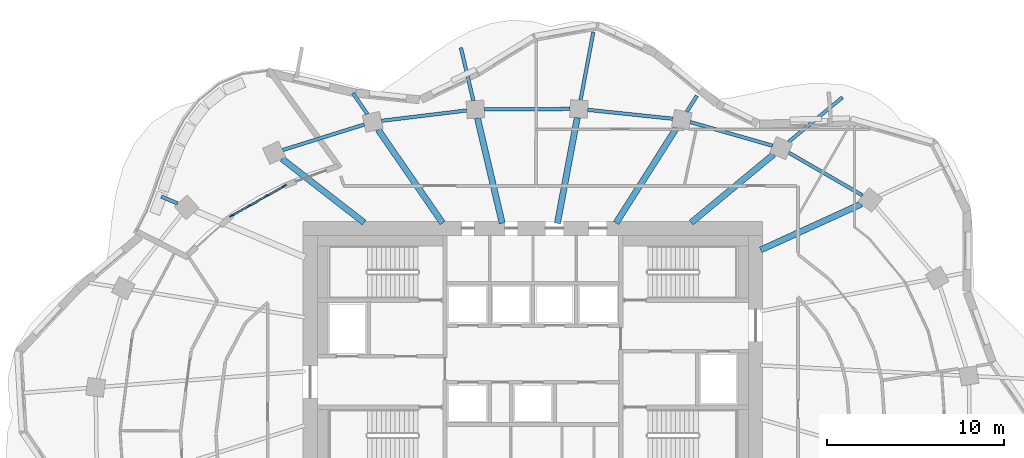
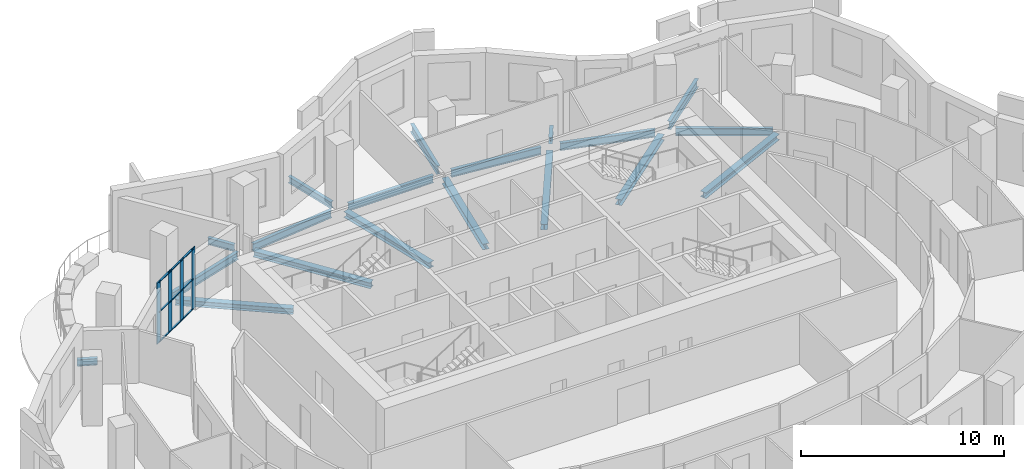
# One storey, part 3 of 13: 19 beams, 13 members, 1 element without a shape of its own.
"""IFC4 building model written with IfcOpenShell, lengths in metres."""

from ifc_helpers import new_model, si_unit, direction, frame, origin, origin_2d, place, context, subcontext, project, spatial, rectangle, i_section, extrude, material, material_profile, profile_set, type_object, element, aggregate, save


model = new_model("IFC4")

# Units and contexts
model_context = context("Model", 3, precision=1e-05, world=origin(), true_north=direction((0.0, 1.0)))
body_context = subcontext(model_context, "Body", "Model", "MODEL_VIEW")
ifc_project = project(units=[si_unit("LENGTHUNIT", "METRE"), si_unit("AREAUNIT", "SQUARE_METRE"), si_unit("VOLUMEUNIT", "CUBIC_METRE"), si_unit("PLANEANGLEUNIT", "RADIAN"), si_unit("MASSUNIT", "GRAM", prefix="KILO")], contexts=[model_context])

# Site, building, storey
site_placement = place(None, origin())
site = spatial("IfcSite", under=ifc_project, at=site_placement, CompositionType="ELEMENT")
building_placement = place(site_placement, origin())
building = spatial("IfcBuilding", under=site, at=building_placement, Name="Rubra Terraces Tower", CompositionType="ELEMENT")
storey_placement = place(building_placement, frame((0.0, 0.0, 189.60009765625)))
storey = spatial("IfcBuildingStorey", under=building, at=storey_placement, Name="L46", CompositionType="ELEMENT", Elevation=189.60009765625)

# Beams
ifc_material_1 = material(Name="Steel Q355B", Category="steel")
ifc_material_profile_1 = material_profile(ifc_material_1, i_section(OverallWidth=0.199951171875, OverallDepth=0.39990234375, WebThickness=0.008056640625, FlangeThickness=0.012939453125, at=origin_2d()), Name="HN 400x200x8x13")
ifc_profile_set_1 = profile_set([ifc_material_profile_1], Name="Steel Q355B")
beam_type_1 = type_object("IfcBeamType", Name="CANTILEVER BEAM HN 400x200x8x13", PredefinedType="BEAM", material=ifc_profile_set_1)
beam_1_placement = place(storey_placement, frame((-3.3701171875, 18.823974609375, -0.400146484375), z_axis=(-0.229158621159, 0.973389092988, 0.0), x_axis=(-0.973389092988, -0.229158621159, 0.0)))
element("IfcBeam", 1, at=beam_1_placement, inside=storey, type_object=beam_type_1, Name="beam-L46-cant-07", PredefinedType="BEAM", context=body_context, shape_type="SweptSolid", body=[
    extrude(i_section(OverallWidth=0.199951171875, OverallDepth=0.39990234375, WebThickness=0.008056640625, FlangeThickness=0.012939453125, at=origin_2d()), origin(), (0.0, 0.0, 1.0), 3.080078125),
])
ifc_material_profile_2 = material_profile(ifc_material_1, i_section(OverallWidth=0.198974609375, OverallDepth=0.49609375, WebThickness=0.009033203125, FlangeThickness=0.013916015625, at=origin_2d()), Name="HN 496x199x9x14")
ifc_profile_set_2 = profile_set([ifc_material_profile_2], Name="Steel Q355B")
beam_type_2 = type_object("IfcBeamType", Name="CANTILEVER BEAM HN 496x199x9x14", PredefinedType="BEAM", material=ifc_profile_set_2)
beam_2_placement = place(storey_placement, frame((14.47509765625, 16.4951171875, -0.447998046875), z_axis=(0.770112647774, 0.637907916347, 0.0), x_axis=(-0.637907916347, 0.770112647774, 0.0)))
element("IfcBeam", 2, at=beam_2_placement, inside=storey, type_object=beam_type_2, Name="beam-L46-cant-04", PredefinedType="BEAM", context=body_context, shape_type="SweptSolid", body=[
    extrude(i_section(OverallWidth=0.198974609375, OverallDepth=0.49609375, WebThickness=0.009033203125, FlangeThickness=0.013916015625, at=origin_2d()), origin(), (0.0, 0.0, 1.0), 3.949951171875),
])
beam_3_placement = place(storey_placement, frame((2.695068359375, 18.85400390625, -0.447998046875), z_axis=(0.184533441982, 0.982826235298, 0.0), x_axis=(-0.982826235298, 0.184533441982, 0.0)))
element("IfcBeam", 3, at=beam_3_placement, inside=storey, type_object=beam_type_2, Name="beam-L46-cant-06", PredefinedType="BEAM", context=body_context, shape_type="SweptSolid", body=[
    extrude(i_section(OverallWidth=0.198974609375, OverallDepth=0.49609375, WebThickness=0.009033203125, FlangeThickness=0.013916015625, at=origin_2d()), origin(), (0.0, 0.0, 1.0), 3.912109375),
])
ifc_material_profile_3 = material_profile(ifc_material_1, i_section(OverallWidth=0.199951171875, OverallDepth=0.39990234375, WebThickness=0.008056640625, FlangeThickness=0.012939453125, at=origin_2d()), Name="HN 400x200x8x13")
ifc_profile_set_3 = profile_set([ifc_material_profile_3], Name="Steel Q355B")
beam_type_3 = type_object("IfcBeamType", Name="CANTILEVER STUB HN 400x200x8x13", PredefinedType="BEAM", material=ifc_profile_set_3)
beam_4_placement = place(storey_placement, frame((8.7099609375, 18.201904296875, -0.400146484375), z_axis=(0.536579593342, 0.843849714113, 0.0), x_axis=(-0.843849714113, 0.536579593342, 0.0)))
element("IfcBeam", 4, at=beam_4_placement, inside=storey, type_object=beam_type_3, Name="beam-L46-cant-05", PredefinedType="BEAM", context=body_context, shape_type="SweptSolid", body=[
    extrude(i_section(OverallWidth=0.199951171875, OverallDepth=0.39990234375, WebThickness=0.008056640625, FlangeThickness=0.012939453125, at=origin_2d()), origin(), (0.0, 0.0, 1.0), 1.06787109375),
])
beam_5_placement = place(storey_placement, frame((-9.3701171875, 18.070068359375, -0.400146484375), z_axis=(-0.568440243111, 0.822724552941, 0.0), x_axis=(-0.822724552941, -0.568440243111, 0.0)))
element("IfcBeam", 5, at=beam_5_placement, inside=storey, type_object=beam_type_3, Name="beam-L46-cant-08", PredefinedType="BEAM", context=body_context, shape_type="SweptSolid", body=[
    extrude(i_section(OverallWidth=0.199951171875, OverallDepth=0.39990234375, WebThickness=0.008056640625, FlangeThickness=0.012939453125, at=origin_2d()), origin(), (0.0, 0.0, 1.0), 1.435302734375),
])
beam_6_placement = place(storey_placement, frame((-20.10205078125, 13.0048828125, -0.400146484375), z_axis=(-0.920750248857, 0.390152507654, 0.0), x_axis=(-0.390152507654, -0.920750248857, 0.0)))
element("IfcBeam", 6, at=beam_6_placement, inside=storey, type_object=beam_type_3, Name="beam-L46-cant-10", PredefinedType="BEAM", context=body_context, shape_type="SweptSolid", body=[
    extrude(i_section(OverallWidth=0.199951171875, OverallDepth=0.39990234375, WebThickness=0.008056640625, FlangeThickness=0.012939453125, at=origin_2d()), origin(), (0.0, 0.0, 1.0), 1.010009765625),
])
ifc_material_profile_4 = material_profile(ifc_material_1, i_section(OverallWidth=0.35009765625, OverallDepth=0.35009765625, WebThickness=0.011962890625, FlangeThickness=0.01904296875, at=origin_2d()), Name="HW 350x350x12x19")
ifc_profile_set_4 = profile_set([ifc_material_profile_4], Name="Steel Q355B")
beam_type_4 = type_object("IfcBeamType", Name="FLOOR BEAM HW 350x350x12x19", PredefinedType="BEAM", material=ifc_profile_set_4)
beam_7_placement = place(storey_placement, frame((18.5869140625, 12.97900390625, -0.375), z_axis=(-0.909756526533, -0.415142219523, 0.0), x_axis=(0.415142219523, -0.909756526533, 0.0)))
element("IfcBeam", 7, at=beam_7_placement, inside=storey, type_object=beam_type_4, Name="beam-L46-floor-03", PredefinedType="BEAM", context=body_context, shape_type="SweptSolid", body=[
    extrude(i_section(OverallWidth=0.35009765625, OverallDepth=0.35009765625, WebThickness=0.011962890625, FlangeThickness=0.01904296875, at=origin_2d()), origin(), (0.0, 0.0, 1.0), 6.2607421875),
])
beam_8_placement = place(storey_placement, frame((13.60888671875, 15.777099609375, -0.375), z_axis=(-0.769987518392, -0.638058948312, 0.0), x_axis=(0.638058948312, -0.769987518392, 0.0)))
element("IfcBeam", 8, at=beam_8_placement, inside=storey, type_object=beam_type_4, Name="beam-L46-floor-04", PredefinedType="BEAM", context=body_context, shape_type="SweptSolid", body=[
    extrude(i_section(OverallWidth=0.35009765625, OverallDepth=0.35009765625, WebThickness=0.011962890625, FlangeThickness=0.01904296875, at=origin_2d()), origin(), (0.0, 0.0, 1.0), 6.040283203125),
])
beam_9_placement = place(storey_placement, frame((8.134033203125, 17.2958984375, -0.375), z_axis=(-0.536509861106, -0.843894050776, 0.0), x_axis=(0.843894050776, -0.536509861106, 0.0)))
element("IfcBeam", 9, at=beam_9_placement, inside=storey, type_object=beam_type_4, Name="beam-L46-floor-05", PredefinedType="BEAM", context=body_context, shape_type="SweptSolid", body=[
    extrude(i_section(OverallWidth=0.35009765625, OverallDepth=0.35009765625, WebThickness=0.011962890625, FlangeThickness=0.01904296875, at=origin_2d()), origin(), (0.0, 0.0, 1.0), 6.395263671875),
])
beam_10_placement = place(storey_placement, frame((2.509033203125, 17.862060546875, -0.375), z_axis=(-0.184574398021, -0.982818544593, 0.0), x_axis=(0.982818544593, -0.184574398021, 0.0)))
element("IfcBeam", 10, at=beam_10_placement, inside=storey, type_object=beam_type_4, Name="beam-L46-floor-06", PredefinedType="BEAM", context=body_context, shape_type="SweptSolid", body=[
    extrude(i_section(OverallWidth=0.35009765625, OverallDepth=0.35009765625, WebThickness=0.011962890625, FlangeThickness=0.01904296875, at=origin_2d()), origin(), (0.0, 0.0, 1.0), 6.08447265625),
])
beam_11_placement = place(storey_placement, frame((-3.137939453125, 17.8359375, -0.375), z_axis=(0.229070485592, -0.973409837957, 0.0), x_axis=(0.973409837957, 0.229070485592, 0.0)))
element("IfcBeam", 11, at=beam_11_placement, inside=storey, type_object=beam_type_4, Name="beam-L46-floor-07", PredefinedType="BEAM", context=body_context, shape_type="SweptSolid", body=[
    extrude(i_section(OverallWidth=0.35009765625, OverallDepth=0.35009765625, WebThickness=0.011962890625, FlangeThickness=0.01904296875, at=origin_2d()), origin(), (0.0, 0.0, 1.0), 6.115478515625),
])
beam_12_placement = place(storey_placement, frame((-8.756103515625, 17.179931640625, -0.375), z_axis=(0.568186422001, -0.822899866238, 0.0), x_axis=(0.822899866238, 0.568186422001, 0.0)))
element("IfcBeam", 12, at=beam_12_placement, inside=storey, type_object=beam_type_4, Name="beam-L46-floor-08", PredefinedType="BEAM", context=body_context, shape_type="SweptSolid", body=[
    extrude(i_section(OverallWidth=0.35009765625, OverallDepth=0.35009765625, WebThickness=0.011962890625, FlangeThickness=0.01904296875, at=origin_2d()), origin(), (0.0, 0.0, 1.0), 6.415283203125),
])
beam_13_placement = place(storey_placement, frame((-14.197998046875, 15.534912109375, -0.375), z_axis=(0.789548898228, -0.613687654517, 0.0), x_axis=(0.613687654517, 0.789548898228, 0.0)))
element("IfcBeam", 13, at=beam_13_placement, inside=storey, type_object=beam_type_4, Name="beam-L46-floor-09", PredefinedType="BEAM", context=body_context, shape_type="SweptSolid", body=[
    extrude(i_section(OverallWidth=0.35009765625, OverallDepth=0.35009765625, WebThickness=0.011962890625, FlangeThickness=0.01904296875, at=origin_2d()), origin(), (0.0, 0.0, 1.0), 5.880615234375),
])
ifc_material_profile_5 = material_profile(ifc_material_1, i_section(OverallWidth=0.198974609375, OverallDepth=0.446044921875, WebThickness=0.008056640625, FlangeThickness=0.011962890625, at=origin_2d()), Name="HN 446x199x8x12")
ifc_profile_set_5 = profile_set([ifc_material_profile_5], Name="Steel Q355B")
beam_type_5 = type_object("IfcBeamType", Name="SPANDREL BEAM HN 446x199x8x12", PredefinedType="SPANDREL", material=ifc_profile_set_5)
beam_14_placement = place(storey_placement, frame((18.653076171875, 13.462890625, -0.423095703125), z_axis=(-0.865153680787, 0.501506838059, 0.0), x_axis=(-0.501506838059, -0.865153680787, 0.0)))
element("IfcBeam", 14, at=beam_14_placement, inside=storey, type_object=beam_type_5, Name="beam-L46-spandrel-03", PredefinedType="SPANDREL", context=body_context, shape_type="SweptSolid", body=[
    extrude(i_section(OverallWidth=0.198974609375, OverallDepth=0.446044921875, WebThickness=0.008056640625, FlangeThickness=0.011962890625, at=origin_2d()), origin(), (0.0, 0.0, 1.0), 4.82568359375),
])
beam_15_placement = place(storey_placement, frame((13.55810546875, 16.27490234375, -0.423095703125), z_axis=(-0.961171164323, 0.275952881621, 0.0), x_axis=(-0.275952881621, -0.961171164323, 0.0)))
element("IfcBeam", 15, at=beam_15_placement, inside=storey, type_object=beam_type_5, Name="beam-L46-spandrel-04", PredefinedType="SPANDREL", context=body_context, shape_type="SweptSolid", body=[
    extrude(i_section(OverallWidth=0.198974609375, OverallDepth=0.446044921875, WebThickness=0.008056640625, FlangeThickness=0.011962890625, at=origin_2d()), origin(), (0.0, 0.0, 1.0), 4.842041015625),
])
beam_16_placement = place(storey_placement, frame((7.923095703125, 17.801025390625, -0.423095703125), z_axis=(-0.994565426955, 0.104113454971, 0.0), x_axis=(-0.104113454971, -0.994565426955, 0.0)))
element("IfcBeam", 16, at=beam_16_placement, inside=storey, type_object=beam_type_5, Name="beam-L46-spandrel-05", PredefinedType="SPANDREL", context=body_context, shape_type="SweptSolid", body=[
    extrude(i_section(OverallWidth=0.198974609375, OverallDepth=0.446044921875, WebThickness=0.008056640625, FlangeThickness=0.011962890625, at=origin_2d()), origin(), (0.0, 0.0, 1.0), 4.849365234375),
])
beam_17_placement = place(storey_placement, frame((2.10107421875, 18.35595703125, -0.423095703125), z_axis=(-0.999987852299, -0.004929021704, 0.0), x_axis=(0.004929021704, -0.999987852299, 0.0)))
element("IfcBeam", 17, at=beam_17_placement, inside=storey, type_object=beam_type_5, Name="beam-L46-spandrel-06", PredefinedType="SPANDREL", context=body_context, shape_type="SweptSolid", body=[
    extrude(i_section(OverallWidth=0.198974609375, OverallDepth=0.446044921875, WebThickness=0.008056640625, FlangeThickness=0.011962890625, at=origin_2d()), origin(), (0.0, 0.0, 1.0), 4.85400390625),
])
beam_18_placement = place(storey_placement, frame((-3.7509765625, 18.27001953125, -0.423095703125), z_axis=(-0.992698018573, -0.120626049929, 0.0), x_axis=(0.120626049929, -0.992698018573, 0.0)))
element("IfcBeam", 18, at=beam_18_placement, inside=storey, type_object=beam_type_5, Name="beam-L46-spandrel-07", PredefinedType="SPANDREL", context=body_context, shape_type="SweptSolid", body=[
    extrude(i_section(OverallWidth=0.198974609375, OverallDepth=0.446044921875, WebThickness=0.008056640625, FlangeThickness=0.011962890625, at=origin_2d()), origin(), (0.0, 0.0, 1.0), 4.849365234375),
])
beam_19_placement = place(storey_placement, frame((-9.5419921875, 17.47509765625, -0.423095703125), z_axis=(-0.954462027342, -0.298332429282, 0.0), x_axis=(0.298332429282, -0.954462027342, 0.0)))
element("IfcBeam", 19, at=beam_19_placement, inside=storey, type_object=beam_type_5, Name="beam-L46-spandrel-08", PredefinedType="SPANDREL", context=body_context, shape_type="SweptSolid", body=[
    extrude(i_section(OverallWidth=0.198974609375, OverallDepth=0.446044921875, WebThickness=0.008056640625, FlangeThickness=0.011962890625, at=origin_2d()), origin(), (0.0, 0.0, 1.0), 4.840576171875),
])

# Curtain wall, members
ifc_material_2 = material(Name="Aluminium and glass", Category="aluminium")
curtain_wall_type = type_object("IfcCurtainWallType", Name="Curtain wall Terrace glazing", PredefinedType="NOTDEFINED", material=ifc_material_2)
curtain_wall_placement = place(storey_placement, origin())
curtain_wall = element("IfcCurtainWall", 20, at=curtain_wall_placement, inside=storey, type_object=curtain_wall_type, Name="Terrace glazing L46", PredefinedType="NOTDEFINED")
ifc_material_3 = material(Name="Aluminium, anodised dark grey", Category="aluminium")
ifc_material_profile_6 = material_profile(ifc_material_3, rectangle(XDim=0.050048828125, YDim=0.300048828125, at=origin_2d()), Name="AL 50x300")
ifc_profile_set_6 = profile_set([ifc_material_profile_6], Name="Aluminium, anodised dark grey")
member_type_1 = type_object("IfcMemberType", Name="Terrace glazing mullion 50 x 300", PredefinedType="MULLION", material=ifc_profile_set_6)
member_1_placement = place(storey_placement, frame((-14.082763671875, 13.9921875, 0.0), z_axis=(0.0, 0.0, 1.0), x_axis=(0.493534092525, -0.869726450969, 0.0)))
member_1 = element("IfcMember", 21, at=member_1_placement, type_object=member_type_1, Name="CW3 mullion 1", PredefinedType="MULLION", context=body_context, shape_type="SweptSolid", body=[
    extrude(rectangle(XDim=0.050048828125, YDim=0.300048828125, at=origin_2d()), origin(), (0.0, 0.0, 1.0), 3.699951171875),
])
member_2_placement = place(storey_placement, frame((-15.056640625, 13.439453125, 0.0), z_axis=(0.0, 0.0, 1.0), x_axis=(0.493534092525, -0.869726450969, 0.0)))
member_2 = element("IfcMember", 22, at=member_2_placement, type_object=member_type_1, Name="CW3 mullion 2", PredefinedType="MULLION", context=body_context, shape_type="SweptSolid", body=[
    extrude(rectangle(XDim=0.050048828125, YDim=0.300048828125, at=origin_2d()), origin(), (0.0, 0.0, 1.0), 3.699951171875),
])
member_3_placement = place(storey_placement, frame((-16.05224609375, 12.87451171875, 0.0), z_axis=(0.0, 0.0, 1.0), x_axis=(0.493534092525, -0.869726450969, 0.0)))
member_3 = element("IfcMember", 23, at=member_3_placement, type_object=member_type_1, Name="CW3 mullion 3", PredefinedType="MULLION", context=body_context, shape_type="SweptSolid", body=[
    extrude(rectangle(XDim=0.050048828125, YDim=0.300048828125, at=origin_2d()), origin(), (0.0, 0.0, 1.0), 3.699951171875),
])
member_4_placement = place(storey_placement, frame((-17.0263671875, 12.32177734375, 0.0), z_axis=(0.0, 0.0, 1.0), x_axis=(0.493534092525, -0.869726450969, 0.0)))
member_4 = element("IfcMember", 24, at=member_4_placement, type_object=member_type_1, Name="CW3 mullion 4", PredefinedType="MULLION", context=body_context, shape_type="SweptSolid", body=[
    extrude(rectangle(XDim=0.050048828125, YDim=0.300048828125, at=origin_2d()), origin(), (0.0, 0.0, 1.0), 3.699951171875),
])
ifc_material_profile_7 = material_profile(ifc_material_3, rectangle(XDim=0.10009765625, YDim=0.050048828125, at=origin_2d()), Name="AL 100x50")
ifc_profile_set_7 = profile_set([ifc_material_profile_7], Name="Aluminium, anodised dark grey")
member_type_2 = type_object("IfcMemberType", Name="Terrace glazing transom 100 x 50", PredefinedType="USERDEFINED", material=ifc_profile_set_7)
member_5_placement = place(storey_placement, frame((-14.1044921875, 13.979736328125, 0.0498046875), z_axis=(-0.869783873008, -0.493432887285, 0.0), x_axis=(0.493432887285, -0.869783873008, 0.0)))
member_5 = element("IfcMember", 25, at=member_5_placement, type_object=member_type_2, Name="CW3 transom 1.1", ObjectType="TRANSOM", PredefinedType="USERDEFINED", context=body_context, shape_type="SweptSolid", body=[
    extrude(rectangle(XDim=0.10009765625, YDim=0.050048828125, at=origin_2d()), origin(), (0.0, 0.0, 1.0), 1.06982421875),
])
member_6_placement = place(storey_placement, frame((-14.1044921875, 13.979736328125, 1.849853515625), z_axis=(-0.869783873008, -0.493432887285, 0.0), x_axis=(0.493432887285, -0.869783873008, 0.0)))
member_6 = element("IfcMember", 26, at=member_6_placement, type_object=member_type_2, Name="CW3 transom 1.2", ObjectType="TRANSOM", PredefinedType="USERDEFINED", context=body_context, shape_type="SweptSolid", body=[
    extrude(rectangle(XDim=0.10009765625, YDim=0.050048828125, at=origin_2d()), origin(), (0.0, 0.0, 1.0), 1.06982421875),
])
member_7_placement = place(storey_placement, frame((-14.1044921875, 13.979736328125, 3.64990234375), z_axis=(-0.869783873008, -0.493432887285, 0.0), x_axis=(0.493432887285, -0.869783873008, 0.0)))
member_7 = element("IfcMember", 27, at=member_7_placement, type_object=member_type_2, Name="CW3 transom 1.3", ObjectType="TRANSOM", PredefinedType="USERDEFINED", context=body_context, shape_type="SweptSolid", body=[
    extrude(rectangle(XDim=0.10009765625, YDim=0.050048828125, at=origin_2d()), origin(), (0.0, 0.0, 1.0), 1.06982421875),
])
member_8_placement = place(storey_placement, frame((-15.078369140625, 13.42724609375, 0.0498046875), z_axis=(-0.869639343343, -0.493687565683, 0.0), x_axis=(0.493687565683, -0.869639343343, 0.0)))
member_8 = element("IfcMember", 28, at=member_8_placement, type_object=member_type_2, Name="CW3 transom 2.1", ObjectType="TRANSOM", PredefinedType="USERDEFINED", context=body_context, shape_type="SweptSolid", body=[
    extrude(rectangle(XDim=0.10009765625, YDim=0.050048828125, at=origin_2d()), origin(), (0.0, 0.0, 1.0), 1.094970703125),
])
member_9_placement = place(storey_placement, frame((-15.078369140625, 13.42724609375, 1.849853515625), z_axis=(-0.869639343343, -0.493687565683, 0.0), x_axis=(0.493687565683, -0.869639343343, 0.0)))
member_9 = element("IfcMember", 29, at=member_9_placement, type_object=member_type_2, Name="CW3 transom 2.2", ObjectType="TRANSOM", PredefinedType="USERDEFINED", context=body_context, shape_type="SweptSolid", body=[
    extrude(rectangle(XDim=0.10009765625, YDim=0.050048828125, at=origin_2d()), origin(), (0.0, 0.0, 1.0), 1.094970703125),
])
member_10_placement = place(storey_placement, frame((-15.078369140625, 13.42724609375, 3.64990234375), z_axis=(-0.869639343343, -0.493687565683, 0.0), x_axis=(0.493687565683, -0.869639343343, 0.0)))
member_10 = element("IfcMember", 30, at=member_10_placement, type_object=member_type_2, Name="CW3 transom 2.3", ObjectType="TRANSOM", PredefinedType="USERDEFINED", context=body_context, shape_type="SweptSolid", body=[
    extrude(rectangle(XDim=0.10009765625, YDim=0.050048828125, at=origin_2d()), origin(), (0.0, 0.0, 1.0), 1.094970703125),
])
member_11_placement = place(storey_placement, frame((-16.073974609375, 12.862060546875, 0.0498046875), z_axis=(-0.869783873008, -0.493432887285, 0.0), x_axis=(0.493432887285, -0.869783873008, 0.0)))
member_11 = element("IfcMember", 31, at=member_11_placement, type_object=member_type_2, Name="CW3 transom 3.1", ObjectType="TRANSOM", PredefinedType="USERDEFINED", context=body_context, shape_type="SweptSolid", body=[
    extrude(rectangle(XDim=0.10009765625, YDim=0.050048828125, at=origin_2d()), origin(), (0.0, 0.0, 1.0), 1.06982421875),
])
member_12_placement = place(storey_placement, frame((-16.073974609375, 12.862060546875, 1.849853515625), z_axis=(-0.869783873008, -0.493432887285, 0.0), x_axis=(0.493432887285, -0.869783873008, 0.0)))
member_12 = element("IfcMember", 32, at=member_12_placement, type_object=member_type_2, Name="CW3 transom 3.2", ObjectType="TRANSOM", PredefinedType="USERDEFINED", context=body_context, shape_type="SweptSolid", body=[
    extrude(rectangle(XDim=0.10009765625, YDim=0.050048828125, at=origin_2d()), origin(), (0.0, 0.0, 1.0), 1.06982421875),
])
member_13_placement = place(storey_placement, frame((-16.073974609375, 12.862060546875, 3.64990234375), z_axis=(-0.869783873008, -0.493432887285, 0.0), x_axis=(0.493432887285, -0.869783873008, 0.0)))
member_13 = element("IfcMember", 33, at=member_13_placement, type_object=member_type_2, Name="CW3 transom 3.3", ObjectType="TRANSOM", PredefinedType="USERDEFINED", context=body_context, shape_type="SweptSolid", body=[
    extrude(rectangle(XDim=0.10009765625, YDim=0.050048828125, at=origin_2d()), origin(), (0.0, 0.0, 1.0), 1.06982421875),
])
aggregate(curtain_wall, [member_1, member_2, member_3, member_4, member_5, member_6, member_7, member_8, member_9, member_10, member_11, member_12, member_13])

save(model, "model.ifc")
